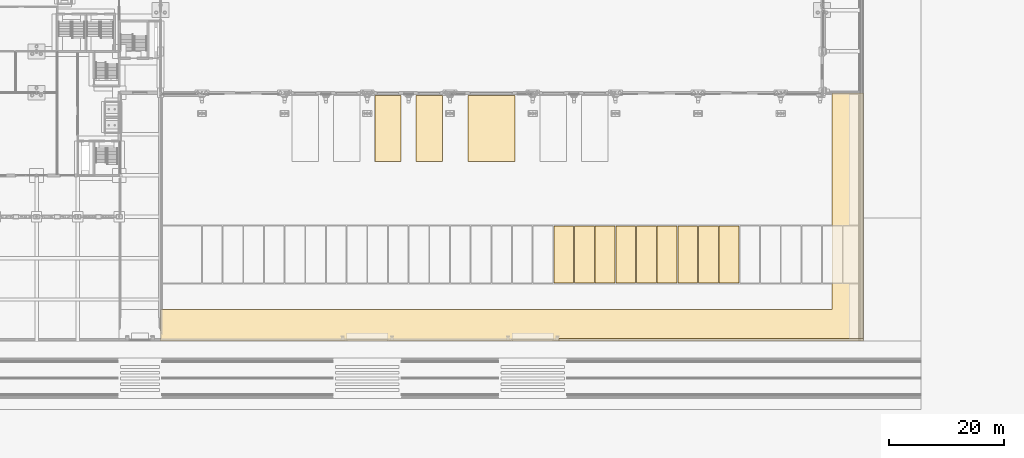
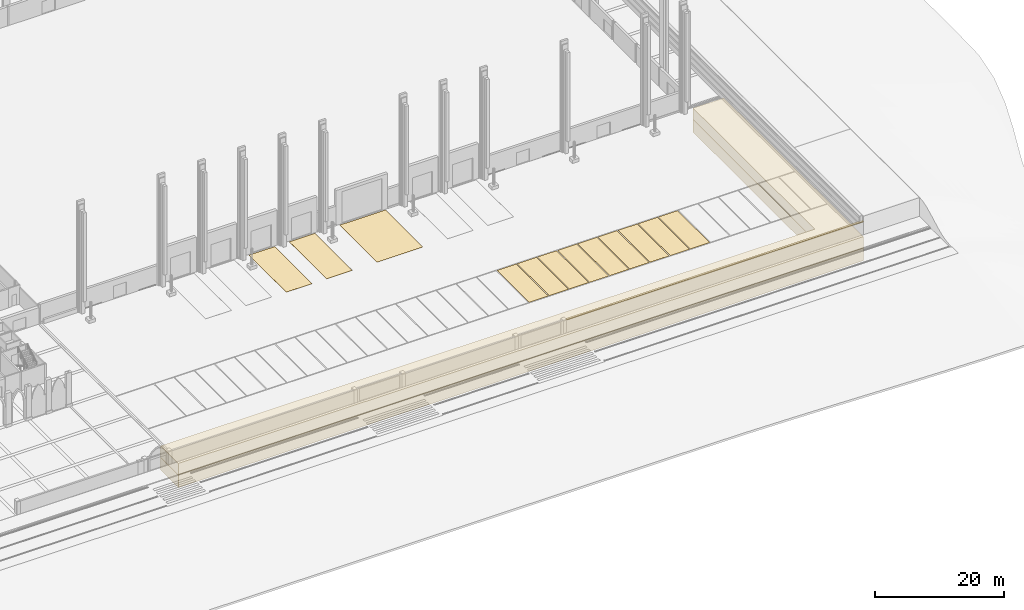
# One storey, part 131 of 148: 15 coverings.
"""IFC4 building model written with IfcOpenShell, lengths in metres."""

from ifc_helpers import new_model, si_unit, direction, frame, origin, place, context, subcontext, project, spatial, polyline, outline, extrude, material, layer, layer_set, type_object, element, save


model = new_model("IFC4")

# Units and contexts
model_context = context("Model", 3, precision=1e-05, world=origin(), true_north=direction((0.0, 1.0)))
body_context = subcontext(model_context, "Body", "Model", "MODEL_VIEW")
ifc_project = project(units=[si_unit("LENGTHUNIT", "METRE"), si_unit("AREAUNIT", "SQUARE_METRE"), si_unit("VOLUMEUNIT", "CUBIC_METRE"), si_unit("PLANEANGLEUNIT", "RADIAN"), si_unit("MASSUNIT", "GRAM", prefix="KILO")], contexts=[model_context])

# Site, building, storey
site_placement = place(None, origin())
site = spatial("IfcSite", under=ifc_project, at=site_placement, CompositionType="ELEMENT")
building_placement = place(site_placement, origin())
building = spatial("IfcBuilding", under=site, at=building_placement, Name="Kupolbacken Congress Centre", CompositionType="ELEMENT")
storey_placement = place(building_placement, origin())
storey = spatial("IfcBuildingStorey", under=building, at=storey_placement, Name="L00", CompositionType="ELEMENT", Elevation=0.0)

# Coverings
ifc_material_1 = material(Name="Limestone cladding", Category="masonry")
ifc_layer_1 = layer(ifc_material_1, 0.1201171875)
ifc_layer_set_1 = layer_set([ifc_layer_1], Name="Limestone cladding")
covering_type_1 = type_object("IfcCoveringType", Name="CV1 limestone cladding band 120", PredefinedType="CLADDING", material=ifc_layer_set_1)
covering_1_placement = place(storey_placement, frame((0.0, 0.0, 2.39990234375)))
element("IfcCovering", 1, at=covering_1_placement, inside=storey, type_object=covering_type_1, Name="Limestone coping on boundary wall", PredefinedType="CLADDING", context=body_context, shape_type="SweptSolid", body=[
    extrude(outline(polyline([(155.800048828125, 0.375), (208.799072265625, 0.375), (208.799072265625, 0.0009765625), (155.800048828125, 0.0009765625), (155.800048828125, 0.375)])), origin(), (0.0, 0.0, 1.0), 0.1201171875),
])
ifc_material_2 = material(Name="Asphalt", Category="masonry")
ifc_layer_2 = layer(ifc_material_2, 0.02001953125)
ifc_layer_set_2 = layer_set([ifc_layer_2], Name="Asphalt")
covering_type_2 = type_object("IfcCoveringType", Name="GF3 asphalt dock hardstanding 20", PredefinedType="FLOORING", material=ifc_layer_set_2)
covering_2_placement = place(storey_placement, origin())
element("IfcCovering", 2, at=covering_2_placement, inside=storey, type_object=covering_type_2, Name="Dock hardstanding", PredefinedType="FLOORING", context=body_context, shape_type="SweptSolid", body=[
    extrude(outline(polyline([(128.300048828125, 31.199951171875), (123.699951171875, 31.199951171875), (123.699951171875, 42.75), (128.300048828125, 42.75), (128.300048828125, 31.199951171875)])), origin(), (0.0, 0.0, 1.0), 0.02001953125),
])
covering_3_placement = place(storey_placement, origin())
element("IfcCovering", 3, at=covering_3_placement, inside=storey, type_object=covering_type_2, Name="Dock hardstanding", PredefinedType="FLOORING", context=body_context, shape_type="SweptSolid", body=[
    extrude(outline(polyline([(135.5, 31.199951171875), (130.89990234375, 31.199951171875), (130.89990234375, 42.75), (135.5, 42.75), (135.5, 31.199951171875)])), origin(), (0.0, 0.0, 1.0), 0.02001953125),
])
covering_4_placement = place(storey_placement, origin())
element("IfcCovering", 4, at=covering_4_placement, inside=storey, type_object=covering_type_2, Name="Dock hardstanding", PredefinedType="FLOORING", context=body_context, shape_type="SweptSolid", body=[
    extrude(outline(polyline([(148.10009765625, 31.199951171875), (139.89990234375, 31.199951171875), (139.89990234375, 42.75), (148.10009765625, 42.75), (148.10009765625, 31.199951171875)])), origin(), (0.0, 0.0, 1.0), 0.02001953125),
])
covering_5_placement = place(storey_placement, origin())
element("IfcCovering", 5, at=covering_5_placement, inside=storey, type_object=covering_type_2, Name="Service yard asphalt hardstanding", PredefinedType="FLOORING", context=body_context, shape_type="SweptSolid", body=[
    extrude(outline(polyline([(183.675048828125, 20.0), (187.125, 20.0), (187.125, 10.050048828125), (183.675048828125, 10.050048828125), (183.675048828125, 20.0)])), origin(), (0.0, 0.0, 1.0), 0.02001953125),
])
covering_6_placement = place(storey_placement, origin())
element("IfcCovering", 6, at=covering_6_placement, inside=storey, type_object=covering_type_2, Name="Service yard asphalt hardstanding", PredefinedType="FLOORING", context=body_context, shape_type="SweptSolid", body=[
    extrude(outline(polyline([(180.074951171875, 20.0), (183.52490234375, 20.0), (183.52490234375, 10.050048828125), (180.074951171875, 10.050048828125), (180.074951171875, 20.0)])), origin(), (0.0, 0.0, 1.0), 0.02001953125),
])
covering_7_placement = place(storey_placement, origin())
element("IfcCovering", 7, at=covering_7_placement, inside=storey, type_object=covering_type_2, Name="Service yard asphalt hardstanding", PredefinedType="FLOORING", context=body_context, shape_type="SweptSolid", body=[
    extrude(outline(polyline([(176.47509765625, 20.0), (179.925048828125, 20.0), (179.925048828125, 10.050048828125), (176.47509765625, 10.050048828125), (176.47509765625, 20.0)])), origin(), (0.0, 0.0, 1.0), 0.02001953125),
])
covering_8_placement = place(storey_placement, origin())
element("IfcCovering", 8, at=covering_8_placement, inside=storey, type_object=covering_type_2, Name="Service yard asphalt hardstanding", PredefinedType="FLOORING", context=body_context, shape_type="SweptSolid", body=[
    extrude(outline(polyline([(172.875, 20.0), (176.324951171875, 20.0), (176.324951171875, 10.050048828125), (172.875, 10.050048828125), (172.875, 20.0)])), origin(), (0.0, 0.0, 1.0), 0.02001953125),
])
covering_9_placement = place(storey_placement, origin())
element("IfcCovering", 9, at=covering_9_placement, inside=storey, type_object=covering_type_2, Name="Service yard asphalt hardstanding", PredefinedType="FLOORING", context=body_context, shape_type="SweptSolid", body=[
    extrude(outline(polyline([(169.27490234375, 20.0), (172.72509765625, 20.0), (172.72509765625, 10.050048828125), (169.27490234375, 10.050048828125), (169.27490234375, 20.0)])), origin(), (0.0, 0.0, 1.0), 0.02001953125),
])
covering_10_placement = place(storey_placement, origin())
element("IfcCovering", 10, at=covering_10_placement, inside=storey, type_object=covering_type_2, Name="Service yard asphalt hardstanding", PredefinedType="FLOORING", context=body_context, shape_type="SweptSolid", body=[
    extrude(outline(polyline([(165.675048828125, 20.0), (169.125, 20.0), (169.125, 10.050048828125), (165.675048828125, 10.050048828125), (165.675048828125, 20.0)])), origin(), (0.0, 0.0, 1.0), 0.02001953125),
])
covering_11_placement = place(storey_placement, origin())
element("IfcCovering", 11, at=covering_11_placement, inside=storey, type_object=covering_type_2, Name="Service yard asphalt hardstanding", PredefinedType="FLOORING", context=body_context, shape_type="SweptSolid", body=[
    extrude(outline(polyline([(162.074951171875, 20.0), (165.52490234375, 20.0), (165.52490234375, 10.050048828125), (162.074951171875, 10.050048828125), (162.074951171875, 20.0)])), origin(), (0.0, 0.0, 1.0), 0.02001953125),
])
covering_12_placement = place(storey_placement, origin())
element("IfcCovering", 12, at=covering_12_placement, inside=storey, type_object=covering_type_2, Name="Service yard asphalt hardstanding", PredefinedType="FLOORING", context=body_context, shape_type="SweptSolid", body=[
    extrude(outline(polyline([(158.47509765625, 20.0), (161.925048828125, 20.0), (161.925048828125, 10.050048828125), (158.47509765625, 10.050048828125), (158.47509765625, 20.0)])), origin(), (0.0, 0.0, 1.0), 0.02001953125),
])
covering_13_placement = place(storey_placement, origin())
element("IfcCovering", 13, at=covering_13_placement, inside=storey, type_object=covering_type_2, Name="Service yard asphalt hardstanding", PredefinedType="FLOORING", context=body_context, shape_type="SweptSolid", body=[
    extrude(outline(polyline([(154.875, 20.0), (158.324951171875, 20.0), (158.324951171875, 10.050048828125), (154.875, 10.050048828125), (154.875, 20.0)])), origin(), (0.0, 0.0, 1.0), 0.02001953125),
])
ifc_material_3 = material(Name="Made ground", Category="soil")
ifc_layer_3 = layer(ifc_material_3, 2.39990234375)
ifc_layer_set_3 = layer_set([ifc_layer_3], Name="Made ground")
covering_type_3 = type_object("IfcCoveringType", Name="GR5 earthworks, made ground", PredefinedType="FLOORING", material=ifc_layer_set_3)
covering_14_placement = place(storey_placement, frame((0.0, 0.0, -2.5)))
element("IfcCovering", 14, at=covering_14_placement, inside=storey, type_object=covering_type_3, Name="Earth under yard slab, made ground", PredefinedType="FLOORING", context=body_context, shape_type="SweptSolid", body=[
    extrude(outline(polyline([(86.400390625, 0.00146484375), (86.400390625, 5.5), (203.300048828125, 5.5), (203.300048828125, 43.199462890625), (208.798583984375, 43.199462890625), (208.798583984375, 0.00146484375), (86.400390625, 0.00146484375)])), origin(), (0.0, 0.0, 1.0), 2.14794921875),
])
ifc_material_4 = material(Name="Clay till", Category="soil")
ifc_layer_4 = layer(ifc_material_4, 2.39990234375)
ifc_layer_set_4 = layer_set([ifc_layer_4], Name="Clay till")
covering_type_4 = type_object("IfcCoveringType", Name="GR6 earthworks, clay till", PredefinedType="FLOORING", material=ifc_layer_set_4)
covering_15_placement = place(storey_placement, frame((0.0, 0.0, -4.89990234375)))
element("IfcCovering", 15, at=covering_15_placement, inside=storey, type_object=covering_type_4, Name="Earth under yard slab, clay till", PredefinedType="FLOORING", context=body_context, shape_type="SweptSolid", body=[
    extrude(outline(polyline([(86.400390625, 0.00146484375), (86.400390625, 5.5), (203.300048828125, 5.5), (203.300048828125, 43.199462890625), (208.798583984375, 43.199462890625), (208.798583984375, 0.00146484375), (86.400390625, 0.00146484375)])), origin(), (0.0, 0.0, 1.0), 2.39990234375),
])

save(model, "model.ifc")
